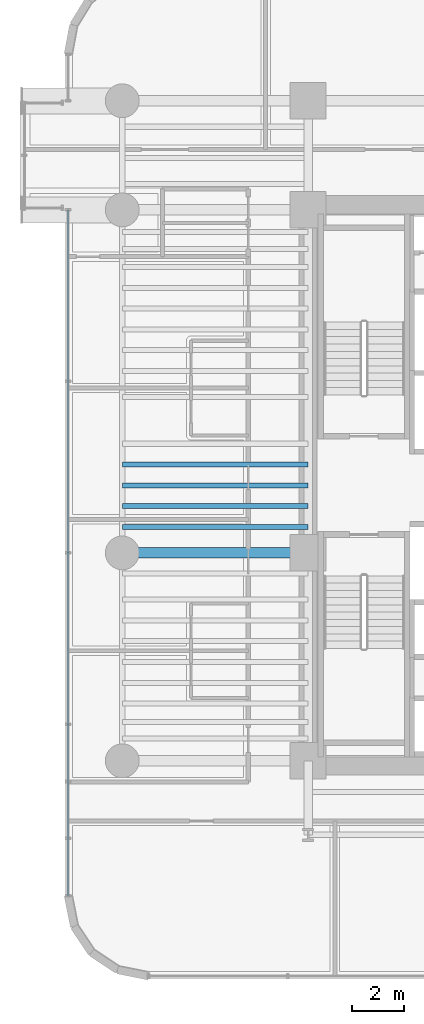
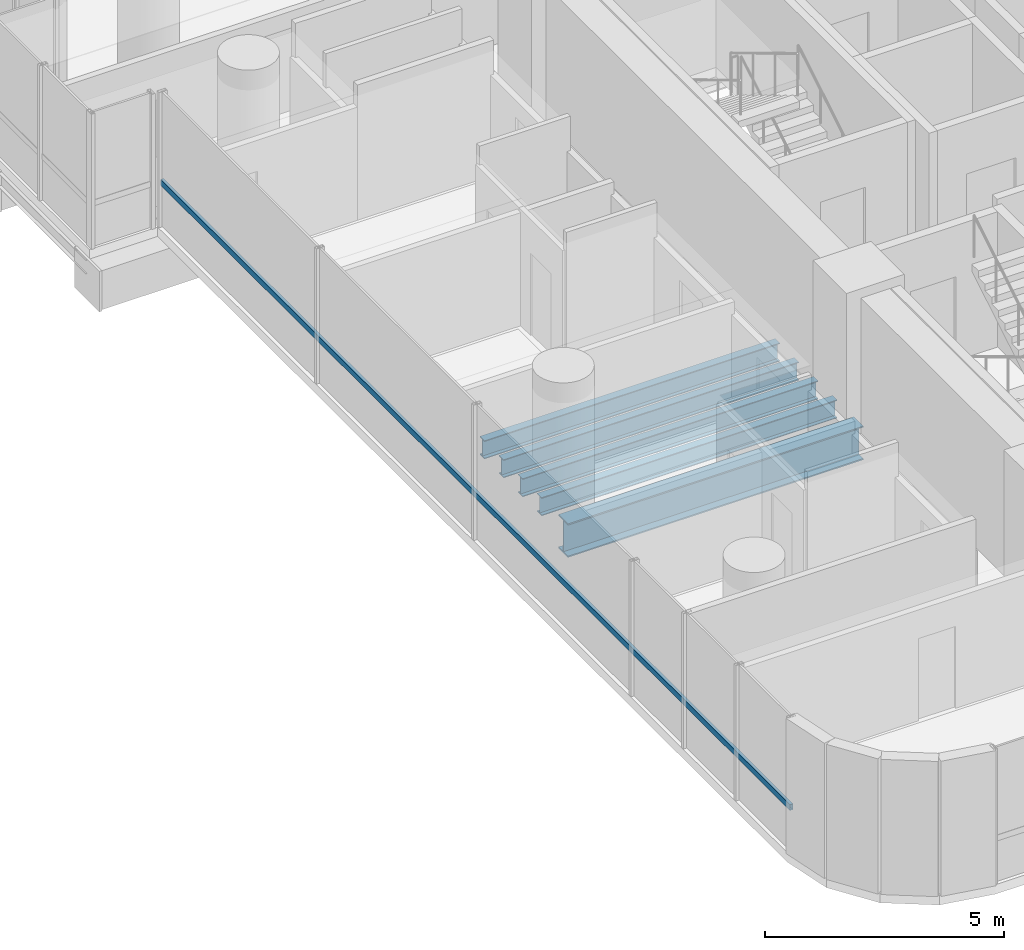
# One storey, part 9 of 40: 5 beams, 1 member, 1 element without a shape of its own.
"""IFC4 building model written with IfcOpenShell, lengths in metres."""

from ifc_helpers import new_model, si_unit, direction, frame, origin, origin_2d, place, context, subcontext, project, spatial, hollow_rectangle, i_section, extrude, source, transform, mapped, material, material_profile, profile_set, type_object, element, aggregate, save


model = new_model("IFC4")

# Units and contexts
model_context = context("Model", 3, precision=1e-05, world=origin(), true_north=direction((0.0, 1.0)))
body_context = subcontext(model_context, "Body", "Model", "MODEL_VIEW")
ifc_project = project(units=[si_unit("LENGTHUNIT", "METRE"), si_unit("AREAUNIT", "SQUARE_METRE"), si_unit("VOLUMEUNIT", "CUBIC_METRE"), si_unit("PLANEANGLEUNIT", "RADIAN"), si_unit("MASSUNIT", "GRAM", prefix="KILO")], contexts=[model_context])

# Site, building, storey
site_placement = place(None, origin())
site = spatial("IfcSite", under=ifc_project, at=site_placement, CompositionType="ELEMENT")
building_placement = place(site_placement, origin())
building = spatial("IfcBuilding", under=site, at=building_placement, Name="Valdorenza Pilgrim Sanctuary Tower", CompositionType="ELEMENT")
storey_placement = place(building_placement, frame((0.0, 0.0, 81.5)))
storey = spatial("IfcBuildingStorey", under=building, at=storey_placement, Name="L20", CompositionType="ELEMENT", Elevation=81.5)

# Beams
ifc_material_1 = material(Name="Steel ASTM A992 Grade 50", Category="steel")
ifc_material_profile_1 = material_profile(ifc_material_1, i_section(OverallWidth=0.193115234375, OverallDepth=0.466064453125, WebThickness=0.011474609375, FlangeThickness=0.01904296875, at=origin_2d()), Name="W18X65")
ifc_profile_set_1 = profile_set([ifc_material_profile_1], Name="Steel ASTM A992 Grade 50")
beam_type_1 = type_object("IfcBeamType", Name="STR-BM-JST-W18A", PredefinedType="JOIST", material=ifc_profile_set_1)
shared_shape_1 = source(origin(), body_context, "Body", "SweptSolid", [
    extrude(i_section(OverallWidth=0.193115234375, OverallDepth=0.466064453125, WebThickness=0.011474609375, FlangeThickness=0.01904296875, at=origin_2d()), origin(), (0.0, 0.0, 1.0), 7.150146484375),
])
for number, where, z_axis, x_axis, name in (
    (1, (-29.800048828125, -1.60009765625, -0.472900390625), (1.0, 0.0, 0.0), (0.0, 1.0, 0.0), "L20 Composite Floor Joist JST-WA-10"),
    (2, (-29.800048828125, -0.800048828125, -0.472900390625), (1.0, 0.0, 0.0), (0.0, 1.0, 0.0), "L20 Composite Floor Joist JST-WA-11"),
    (3, (-29.800048828125, 0.0, -0.472900390625), (1.0, 0.0, 0.0), (0.0, 1.0, 0.0), "L20 Composite Floor Joist JST-WA-12"),
    (4, (-29.800048828125, 0.800048828125, -0.472900390625), (1.0, 0.0, 0.0), (0.0, 1.0, 0.0), "L20 Composite Floor Joist JST-WA-13"),
):
    element("IfcBeam", number, at=place(storey_placement, frame(where, z_axis=z_axis, x_axis=x_axis)), inside=storey, type_object=beam_type_1, Name=name, PredefinedType="JOIST", context=body_context, shape_type="MappedRepresentation", body=[
        mapped(shared_shape_1, transform((0.0, 0.0, 0.0), x_axis=(1.0, 0.0, 0.0), y_axis=(0.0, 1.0, 0.0), z_axis=(0.0, 0.0, 1.0), scale=1.0)),
    ])
ifc_material_profile_2 = material_profile(ifc_material_1, i_section(OverallWidth=0.39990234375, OverallDepth=0.862060546875, WebThickness=0.019775390625, FlangeThickness=0.032470703125, at=origin_2d()), Name="W33X221")
ifc_profile_set_2 = profile_set([ifc_material_profile_2], Name="Steel ASTM A992 Grade 50")
beam_type_2 = type_object("IfcBeamType", Name="STR-BM-GRD-W33", PredefinedType="BEAM", material=ifc_profile_set_2)
shared_shape_2 = source(origin(), body_context, "Body", "SweptSolid", [
    extrude(i_section(OverallWidth=0.39990234375, OverallDepth=0.862060546875, WebThickness=0.019775390625, FlangeThickness=0.032470703125, at=origin_2d()), origin(), (0.0, 0.0, 1.0), 7.150146484375),
])
beam_placement = place(storey_placement, frame((-29.800048828125, -2.60009765625, -0.6708984375), z_axis=(1.0, 0.0, 0.0), x_axis=(0.0, 1.0, 0.0)))
element("IfcBeam", 5, at=beam_placement, inside=storey, type_object=beam_type_2, Name="L20 Floor Girder WA-XW-M0", PredefinedType="BEAM", context=body_context, shape_type="MappedRepresentation", body=[
    mapped(shared_shape_2, transform((0.0, 0.0, 0.0), x_axis=(1.0, 0.0, 0.0), y_axis=(0.0, 1.0, 0.0), z_axis=(0.0, 0.0, 1.0), scale=1.0)),
])

# Curtain wall, member
ifc_material_2 = material(Name="Curtain-wall IGU glazing", Category="glass")
curtain_wall_type = type_object("IfcCurtainWallType", Name="CW-SYS-02", PredefinedType="NOTDEFINED", material=ifc_material_2)
curtain_wall_placement = place(storey_placement, origin())
curtain_wall = element("IfcCurtainWall", 6, at=curtain_wall_placement, inside=storey, type_object=curtain_wall_type, Name="L20 Curtain Wall CW-L20-1-1S1", PredefinedType="NOTDEFINED")
ifc_material_3 = material(Name="Anodised aluminium AW-6060", Category="aluminium")
ifc_material_profile_3 = material_profile(ifc_material_3, hollow_rectangle(XDim=0.074951171875, YDim=0.14990234375, WallThickness=0.00390625, at=origin_2d()), Name="ALU-T 150x75x4")
ifc_profile_set_3 = profile_set([ifc_material_profile_3], Name="Anodised aluminium AW-6060")
member_type = type_object("IfcMemberType", Name="CW-TRN-02", PredefinedType="USERDEFINED", material=ifc_profile_set_3)
shared_shape_3 = source(origin(), body_context, "Body", "SweptSolid", [
    extrude(hollow_rectangle(XDim=0.074951171875, YDim=0.14990234375, WallThickness=0.00390625, at=origin_2d()), origin(), (0.0, 0.0, 1.0), 26.389404296875),
])
member_placement = place(storey_placement, frame((-31.889892578125, -15.789306640625, 1.1201171875), z_axis=(0.0, 1.0, 0.0), x_axis=(-1.0, 0.0, 0.0)))
member = element("IfcMember", 7, at=member_placement, type_object=member_type, Name="CW-L20-1-1S1 Transom 1", ObjectType="TRANSOM", PredefinedType="USERDEFINED", context=body_context, shape_type="MappedRepresentation", body=[
    mapped(shared_shape_3, transform((0.0, 0.0, 0.0), x_axis=(1.0, 0.0, 0.0), y_axis=(0.0, 1.0, 0.0), z_axis=(0.0, 0.0, 1.0), scale=1.0)),
])
aggregate(curtain_wall, [member])

save(model, "model.ifc")
